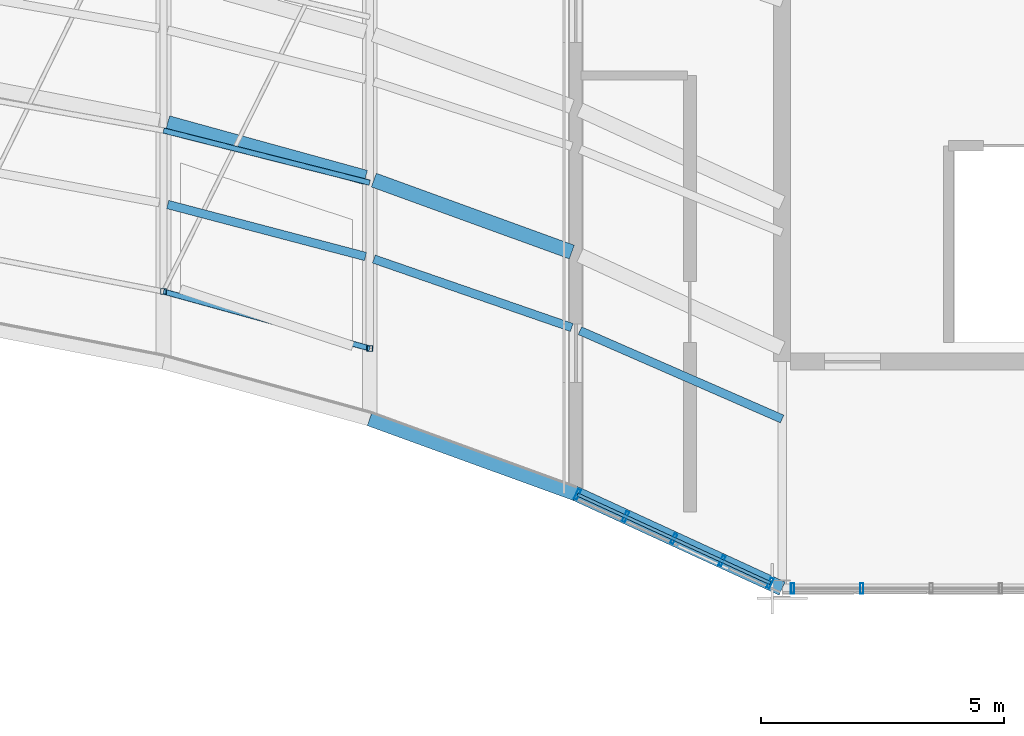
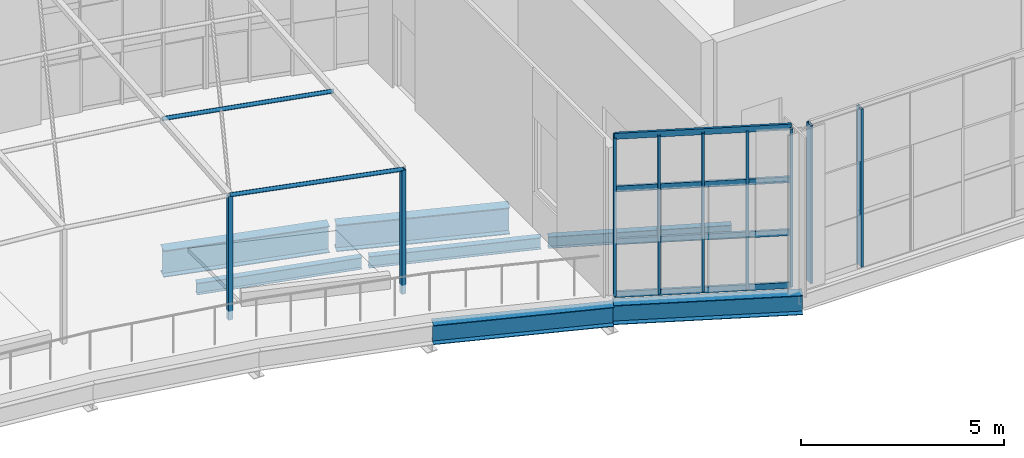
# One storey, part 17 of 35: 15 members, 7 beams, 2 elements without a shape of their own.
"""IFC4 building model written with IfcOpenShell, lengths in metres."""

from ifc_helpers import new_model, si_unit, direction, frame, origin, origin_2d, place, context, subcontext, project, spatial, hollow_rectangle, hollow_circle, i_section, extrude, material, material_profile, profile_set, type_object, element, aggregate, save


model = new_model("IFC4")

# Units and contexts
model_context = context("Model", 3, precision=1e-05, world=origin(), true_north=direction((0.0, 1.0)))
body_context = subcontext(model_context, "Body", "Model", "MODEL_VIEW")
ifc_project = project(units=[si_unit("LENGTHUNIT", "METRE"), si_unit("AREAUNIT", "SQUARE_METRE"), si_unit("VOLUMEUNIT", "CUBIC_METRE"), si_unit("PLANEANGLEUNIT", "RADIAN"), si_unit("MASSUNIT", "GRAM", prefix="KILO")], contexts=[model_context])

# Site, building, storey
site_placement = place(None, origin())
site = spatial("IfcSite", under=ifc_project, at=site_placement, CompositionType="ELEMENT")
building_placement = place(site_placement, origin())
building = spatial("IfcBuilding", under=site, at=building_placement, Name="Solvikara Media Centre", CompositionType="ELEMENT")
storey_placement = place(building_placement, frame((0.0, 0.0, 29.39990234375)))
storey = spatial("IfcBuildingStorey", under=building, at=storey_placement, Name="L06", CompositionType="ELEMENT", Elevation=29.39990234375)

# Beams
ifc_material_1 = material(Name="Steel S355JR", Category="steel")
ifc_material_profile_1 = material_profile(ifc_material_1, i_section(OverallWidth=0.300048828125, OverallDepth=0.800048828125, WebThickness=0.013916015625, FlangeThickness=0.02587890625, at=origin_2d()), Name="WF 800x300x14x26")
ifc_profile_set_1 = profile_set([ifc_material_profile_1], Name="Steel S355JR")
beam_type_1 = type_object("IfcBeamType", Name="BM-16", PredefinedType="BEAM", material=ifc_profile_set_1)
beam_1_placement = place(storey_placement, frame((114.8369140625, 28.922119140625, -0.671875), z_axis=(0.964019154447, -0.265832785522, 0.0), x_axis=(0.265832785522, 0.964019154447, 0.0)))
element("IfcBeam", 1, at=beam_1_placement, inside=storey, type_object=beam_type_1, Name="B-L06-SPNS-09", PredefinedType="BEAM", context=body_context, shape_type="SweptSolid", body=[
    extrude(i_section(OverallWidth=0.300048828125, OverallDepth=0.800048828125, WebThickness=0.013916015625, FlangeThickness=0.02587890625, at=origin_2d()), origin(), (0.0, 0.0, 1.0), 4.228271484375),
])
beam_2_placement = place(storey_placement, frame((119.0849609375, 27.742919921875, -0.671875), z_axis=(0.939849238439, -0.341589532927, 0.0), x_axis=(0.341589532927, 0.939849238439, 0.0)))
element("IfcBeam", 2, at=beam_2_placement, inside=storey, type_object=beam_type_1, Name="B-L06-SPNS-10", PredefinedType="BEAM", context=body_context, shape_type="SweptSolid", body=[
    extrude(i_section(OverallWidth=0.300048828125, OverallDepth=0.800048828125, WebThickness=0.013916015625, FlangeThickness=0.02587890625, at=origin_2d()), origin(), (0.0, 0.0, 1.0), 4.34130859375),
])
ifc_material_profile_2 = material_profile(ifc_material_1, i_section(OverallWidth=0.175048828125, OverallDepth=0.35009765625, WebThickness=0.007080078125, FlangeThickness=0.010986328125, at=origin_2d()), Name="WF 350x175x7x11")
ifc_profile_set_2 = profile_set([ifc_material_profile_2], Name="Steel S355JR")
beam_type_2 = type_object("IfcBeamType", Name="BM-22", PredefinedType="JOIST", material=ifc_profile_set_2)
beam_3_placement = place(storey_placement, frame((114.8369140625, 27.239990234375, -0.447021484375), z_axis=(0.967112792727, -0.254347884096, 0.0), x_axis=(0.254347884096, 0.967112792727, 0.0)))
element("IfcBeam", 3, at=beam_3_placement, inside=storey, type_object=beam_type_2, Name="BJ-L06-09-20", PredefinedType="JOIST", context=body_context, shape_type="SweptSolid", body=[
    extrude(i_section(OverallWidth=0.175048828125, OverallDepth=0.35009765625, WebThickness=0.007080078125, FlangeThickness=0.010986328125, at=origin_2d()), origin(), (0.0, 0.0, 1.0), 4.21484375),
])
beam_4_placement = place(storey_placement, frame((119.0849609375, 26.115966796875, -0.447021484375), z_axis=(0.945019683137, -0.327013453063, 0.0), x_axis=(0.327013453063, 0.945019683137, 0.0)))
element("IfcBeam", 4, at=beam_4_placement, inside=storey, type_object=beam_type_2, Name="BJ-L06-10-20", PredefinedType="JOIST", context=body_context, shape_type="SweptSolid", body=[
    extrude(i_section(OverallWidth=0.175048828125, OverallDepth=0.35009765625, WebThickness=0.007080078125, FlangeThickness=0.010986328125, at=origin_2d()), origin(), (0.0, 0.0, 1.0), 4.3173828125),
])
beam_5_placement = place(storey_placement, frame((123.33203125, 24.638916015625, -0.44482421875), z_axis=(0.916452774581, -0.40014286444, 0.0), x_axis=(0.40014286444, 0.916452774581, 0.0)))
element("IfcBeam", 5, at=beam_5_placement, inside=storey, type_object=beam_type_2, Name="BJ-L06-11-20", PredefinedType="JOIST", context=body_context, shape_type="SweptSolid", body=[
    extrude(i_section(OverallWidth=0.175048828125, OverallDepth=0.35009765625, WebThickness=0.007080078125, FlangeThickness=0.010986328125, at=origin_2d()), origin(), (0.0, 0.0, 1.0), 4.5478515625),
])
ifc_material_profile_3 = material_profile(ifc_material_1, i_section(OverallWidth=0.300048828125, OverallDepth=0.58203125, WebThickness=0.011962890625, FlangeThickness=0.01708984375, at=origin_2d()), Name="WF 582x300x12x17")
ifc_profile_set_3 = profile_set([ifc_material_profile_3], Name="Steel S355JR")
beam_type_3 = type_object("IfcBeamType", Name="BM-31", PredefinedType="SPANDREL", material=ifc_profile_set_3)
beam_6_placement = place(storey_placement, frame((119.0, 22.823974609375, -0.56298828125), z_axis=(0.939831249065, -0.341639024821, 0.0), x_axis=(0.341639024821, 0.939831249065, 0.0)))
element("IfcBeam", 6, at=beam_6_placement, inside=storey, type_object=beam_type_3, Name="B-L06-SARC-10", PredefinedType="SPANDREL", context=body_context, shape_type="SweptSolid", body=[
    extrude(i_section(OverallWidth=0.300048828125, OverallDepth=0.58203125, WebThickness=0.011962890625, FlangeThickness=0.01708984375, at=origin_2d()), origin(), (0.0, 0.0, 1.0), 4.52197265625),
])
beam_7_placement = place(storey_placement, frame((123.25, 21.279052734375, -0.512939453125), z_axis=(0.908484112169, -0.417919391673, 0.0), x_axis=(0.417919391673, 0.908484112169, 0.0)))
element("IfcBeam", 7, at=beam_7_placement, inside=storey, type_object=beam_type_3, Name="B-L06-SARC-11", PredefinedType="SPANDREL", context=body_context, shape_type="SweptSolid", body=[
    extrude(i_section(OverallWidth=0.300048828125, OverallDepth=0.58203125, WebThickness=0.011962890625, FlangeThickness=0.01708984375, at=origin_2d()), origin(), (0.0, 0.0, 1.0), 4.67822265625),
])

# Members
ifc_material_profile_4 = material_profile(ifc_material_1, hollow_circle(Radius=0.05712890625, WallThickness=0.006103515625, at=origin_2d()), Name="CHS 114.3x6")
ifc_profile_set_4 = profile_set([ifc_material_profile_4], Name="Steel S355JR")
member_type_1 = type_object("IfcMemberType", Name="MB-09", PredefinedType="BRACE", material=ifc_profile_set_4)
member_1_placement = place(storey_placement, frame((114.75, 25.446044921875, 3.4501953125), z_axis=(0.964009749544, -0.265866889221, 0.0), x_axis=(0.265866889221, 0.964009749544, 0.0)))
element("IfcMember", 8, at=member_1_placement, inside=storey, type_object=member_type_1, Name="PERG-LVR-10-0", PredefinedType="BRACE", context=body_context, shape_type="SweptSolid", body=[
    extrude(hollow_circle(Radius=0.05712890625, WallThickness=0.006103515625, at=origin_2d()), origin(), (0.0, 0.0, 1.0), 4.40869140625),
])
member_2_placement = place(storey_placement, frame((114.75, 28.764892578125, 3.72998046875), z_axis=(0.969417548491, -0.245417229791, 0.0), x_axis=(0.245417229791, 0.969417548491, 0.0)))
element("IfcMember", 9, at=member_2_placement, inside=storey, type_object=member_type_1, Name="PERG-LVR-10-35", PredefinedType="BRACE", context=body_context, shape_type="SweptSolid", body=[
    extrude(hollow_circle(Radius=0.05712890625, WallThickness=0.006103515625, at=origin_2d()), origin(), (0.0, 0.0, 1.0), 4.384033203125),
])
ifc_material_profile_5 = material_profile(ifc_material_1, hollow_rectangle(XDim=0.1201171875, YDim=0.1201171875, WallThickness=0.006103515625, at=origin_2d()), Name="RHS 120x120x6")
ifc_profile_set_5 = profile_set([ifc_material_profile_5], Name="Steel S355JR")
member_type_2 = type_object("IfcMemberType", Name="MB-24", PredefinedType="POST", material=ifc_profile_set_5)
for number, where, z_axis, x_axis, name in (
    (10, (114.75, 25.446044921875, -0.27001953125), (0.0, 0.0, 1.0), (1.0, 0.0, 0.0), "PERG-PST-09"),
    (11, (119.0, 24.27392578125, -0.27001953125), (0.0, 0.0, 1.0), (1.0, 0.0, 0.0), "PERG-PST-10"),
):
    element("IfcMember", number, at=place(storey_placement, frame(where, z_axis=z_axis, x_axis=x_axis)), inside=storey, type_object=member_type_2, Name=name, PredefinedType="POST", context=body_context, shape_type="SweptSolid", body=[
        extrude(hollow_rectangle(XDim=0.1201171875, YDim=0.1201171875, WallThickness=0.006103515625, at=origin_2d()), origin(), (0.0, 0.0, 1.0), 3.72021484375),
    ])

# Curtain wall, members
ifc_material_2 = material(Name="Anodised aluminium EN AW-6063", Category="aluminium")
curtain_wall_type = type_object("IfcCurtainWallType", Name="CW-13", PredefinedType="NOTDEFINED", material=ifc_material_2)
curtain_wall_1_placement = place(storey_placement, origin())
curtain_wall_1 = element("IfcCurtainWall", 12, at=curtain_wall_1_placement, inside=storey, type_object=curtain_wall_type, Name="CW-L06-SARC-11", PredefinedType="NOTDEFINED")
ifc_material_profile_6 = material_profile(ifc_material_2, hollow_rectangle(XDim=0.06494140625, YDim=0.219970703125, WallThickness=0.00390625, at=origin_2d()), Name="ALU-M 65x220x4")
ifc_profile_set_6 = profile_set([ifc_material_profile_6], Name="Anodised aluminium EN AW-6063")
member_type_3 = type_object("IfcMemberType", Name="MF-01", PredefinedType="MULLION", material=ifc_profile_set_6)
member_3_placement = place(storey_placement, frame((123.281982421875, 21.263916015625, 0.02001953125), z_axis=(0.0, 0.0, 1.0), x_axis=(0.908544639849, -0.417787789915, 0.0)))
member_3 = element("IfcMember", 13, at=member_3_placement, type_object=member_type_3, Name="CW-L06-SARC-11-M00", PredefinedType="MULLION", context=body_context, shape_type="SweptSolid", body=[
    extrude(hollow_rectangle(XDim=0.06494140625, YDim=0.219970703125, WallThickness=0.00390625, at=origin_2d()), origin(), (0.0, 0.0, 1.0), 4.760009765625),
])
member_4_placement = place(storey_placement, frame((124.27490234375, 20.806884765625, 0.02001953125), z_axis=(0.0, 0.0, 1.0), x_axis=(0.908544639849, -0.417787789915, 0.0)))
member_4 = element("IfcMember", 14, at=member_4_placement, type_object=member_type_3, Name="CW-L06-SARC-11-M01", PredefinedType="MULLION", context=body_context, shape_type="SweptSolid", body=[
    extrude(hollow_rectangle(XDim=0.06494140625, YDim=0.219970703125, WallThickness=0.00390625, at=origin_2d()), origin(), (0.0, 0.0, 1.0), 4.760009765625),
])
member_5_placement = place(storey_placement, frame((125.26708984375, 20.35107421875, 0.02001953125), z_axis=(0.0, 0.0, 1.0), x_axis=(0.908544639849, -0.417787789915, 0.0)))
member_5 = element("IfcMember", 15, at=member_5_placement, type_object=member_type_3, Name="CW-L06-SARC-11-M02", PredefinedType="MULLION", context=body_context, shape_type="SweptSolid", body=[
    extrude(hollow_rectangle(XDim=0.06494140625, YDim=0.219970703125, WallThickness=0.00390625, at=origin_2d()), origin(), (0.0, 0.0, 1.0), 4.760009765625),
])
member_6_placement = place(storey_placement, frame((126.260009765625, 19.89501953125, 0.02001953125), z_axis=(0.0, 0.0, 1.0), x_axis=(0.908544639849, -0.417787789915, 0.0)))
member_6 = element("IfcMember", 16, at=member_6_placement, type_object=member_type_3, Name="CW-L06-SARC-11-M03", PredefinedType="MULLION", context=body_context, shape_type="SweptSolid", body=[
    extrude(hollow_rectangle(XDim=0.06494140625, YDim=0.219970703125, WallThickness=0.00390625, at=origin_2d()), origin(), (0.0, 0.0, 1.0), 4.760009765625),
])
member_7_placement = place(storey_placement, frame((127.2529296875, 19.43798828125, 0.02001953125), z_axis=(0.0, 0.0, 1.0), x_axis=(0.908544639849, -0.417787789915, 0.0)))
member_7 = element("IfcMember", 17, at=member_7_placement, type_object=member_type_3, Name="CW-L06-SARC-11-M04", PredefinedType="MULLION", context=body_context, shape_type="SweptSolid", body=[
    extrude(hollow_rectangle(XDim=0.06494140625, YDim=0.219970703125, WallThickness=0.00390625, at=origin_2d()), origin(), (0.0, 0.0, 1.0), 4.760009765625),
])

curtain_wall_2_placement = place(storey_placement, origin())
curtain_wall_2 = element("IfcCurtainWall", 18, at=curtain_wall_2_placement, inside=storey, type_object=curtain_wall_type, Name="CW-L06-BHES", PredefinedType="NOTDEFINED")
member_8_placement = place(storey_placement, frame((127.715087890625, 19.323974609375, 0.02001953125), z_axis=(0.0, 0.0, 1.0), x_axis=(1.0, 0.0, 0.0)))
member_8 = element("IfcMember", 19, at=member_8_placement, type_object=member_type_3, Name="CW-L06-BHES-M00", PredefinedType="MULLION", context=body_context, shape_type="SweptSolid", body=[
    extrude(hollow_rectangle(XDim=0.06494140625, YDim=0.219970703125, WallThickness=0.00390625, at=origin_2d()), origin(), (0.0, 0.0, 1.0), 4.760009765625),
])
member_9_placement = place(storey_placement, frame((129.14306640625, 19.323974609375, 0.02001953125), z_axis=(0.0, 0.0, 1.0), x_axis=(1.0, 0.0, 0.0)))
member_9 = element("IfcMember", 20, at=member_9_placement, type_object=member_type_3, Name="CW-L06-BHES-M01", PredefinedType="MULLION", context=body_context, shape_type="SweptSolid", body=[
    extrude(hollow_rectangle(XDim=0.06494140625, YDim=0.219970703125, WallThickness=0.00390625, at=origin_2d()), origin(), (0.0, 0.0, 1.0), 4.760009765625),
])
aggregate(curtain_wall_2, [member_8, member_9])

# Member
ifc_material_profile_7 = material_profile(ifc_material_2, hollow_rectangle(XDim=0.06494140625, YDim=0.179931640625, WallThickness=0.00341796875, at=origin_2d()), Name="ALU-T 65x180x3.5")
ifc_profile_set_7 = profile_set([ifc_material_profile_7], Name="Anodised aluminium EN AW-6063")
member_type_4 = type_object("IfcMemberType", Name="MF-07", PredefinedType="USERDEFINED", material=ifc_profile_set_7)
member_10_placement = place(storey_placement, frame((123.281982421875, 21.263916015625, 0.02001953125), z_axis=(0.908551945268, -0.417771902777, 0.0), x_axis=(0.417771902777, 0.908551945268, 0.0)))
member_10 = element("IfcMember", 21, at=member_10_placement, type_object=member_type_4, Name="CW-L06-SARC-11-T00", ObjectType="TRANSOM", PredefinedType="USERDEFINED", context=body_context, shape_type="SweptSolid", body=[
    extrude(hollow_rectangle(XDim=0.06494140625, YDim=0.179931640625, WallThickness=0.00341796875, at=origin_2d()), origin(), (0.0, 0.0, 1.0), 4.37060546875),
])

member_11_placement = place(storey_placement, frame((123.281982421875, 21.263916015625, 1.607177734375), z_axis=(0.908551945268, -0.417771902777, 0.0), x_axis=(0.417771902777, 0.908551945268, 0.0)))
member_11 = element("IfcMember", 22, at=member_11_placement, type_object=member_type_4, Name="CW-L06-SARC-11-T01", ObjectType="TRANSOM", PredefinedType="USERDEFINED", context=body_context, shape_type="SweptSolid", body=[
    extrude(hollow_rectangle(XDim=0.06494140625, YDim=0.179931640625, WallThickness=0.00341796875, at=origin_2d()), origin(), (0.0, 0.0, 1.0), 4.37060546875),
])

member_12_placement = place(storey_placement, frame((123.281982421875, 21.263916015625, 3.193115234375), z_axis=(0.908551945268, -0.417771902777, 0.0), x_axis=(0.417771902777, 0.908551945268, 0.0)))
member_12 = element("IfcMember", 23, at=member_12_placement, type_object=member_type_4, Name="CW-L06-SARC-11-T02", ObjectType="TRANSOM", PredefinedType="USERDEFINED", context=body_context, shape_type="SweptSolid", body=[
    extrude(hollow_rectangle(XDim=0.06494140625, YDim=0.179931640625, WallThickness=0.00341796875, at=origin_2d()), origin(), (0.0, 0.0, 1.0), 4.37060546875),
])

member_13_placement = place(storey_placement, frame((123.281982421875, 21.263916015625, 4.780029296875), z_axis=(0.908551945268, -0.417771902777, 0.0), x_axis=(0.417771902777, 0.908551945268, 0.0)))
member_13 = element("IfcMember", 24, at=member_13_placement, type_object=member_type_4, Name="CW-L06-SARC-11-T03", ObjectType="TRANSOM", PredefinedType="USERDEFINED", context=body_context, shape_type="SweptSolid", body=[
    extrude(hollow_rectangle(XDim=0.06494140625, YDim=0.179931640625, WallThickness=0.00341796875, at=origin_2d()), origin(), (0.0, 0.0, 1.0), 4.37060546875),
])

aggregate(curtain_wall_1, [member_3, member_4, member_5, member_6, member_7, member_10, member_11, member_12, member_13])

save(model, "model.ifc")
